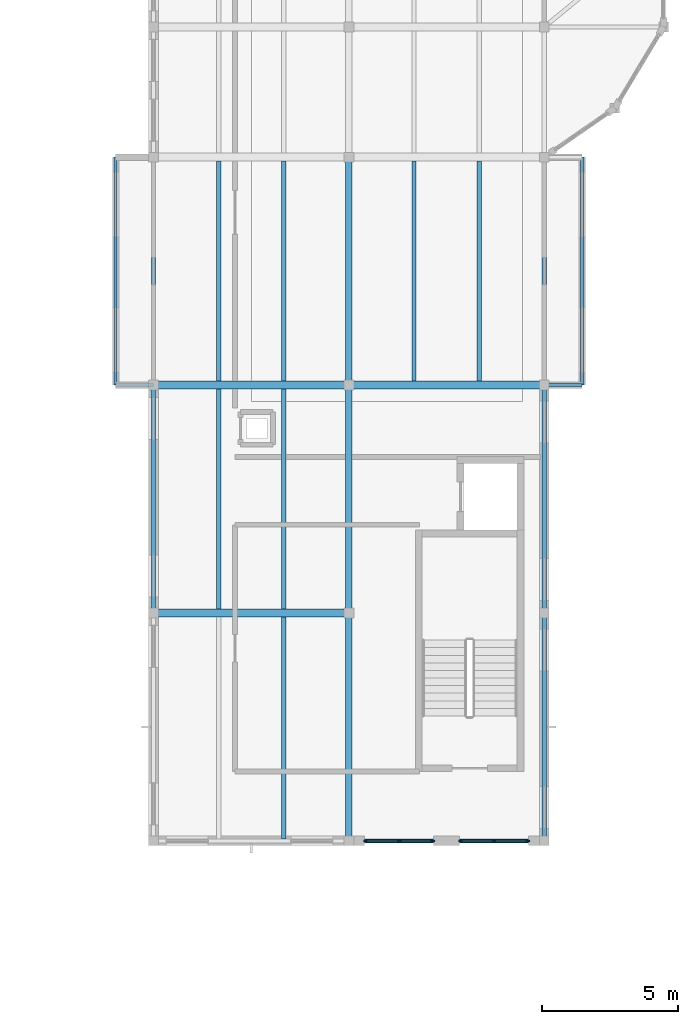
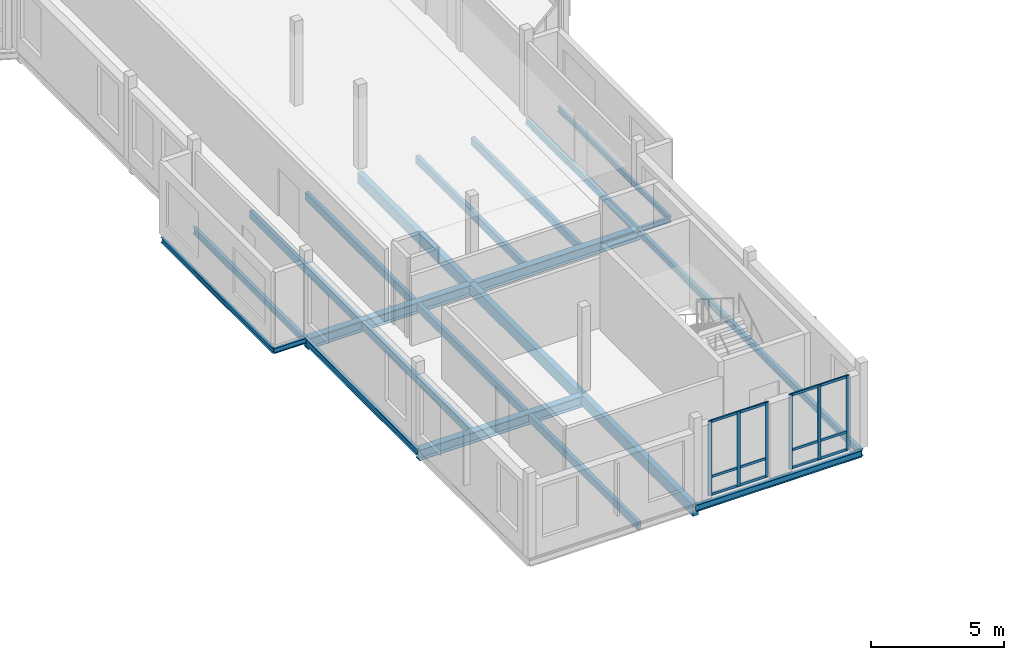
# One storey, part 12 of 34: 23 beams, 12 members, 2 elements without a shape of their own.
"""IFC4 building model written with IfcOpenShell, lengths in metres."""

from ifc_helpers import new_model, si_unit, direction, frame, origin, origin_2d, place, context, subcontext, project, spatial, rectangle, i_section, extrude, material, material_profile, profile_set, type_object, element, aggregate, save


model = new_model("IFC4")

# Units and contexts
model_context = context("Model", 3, precision=1e-05, world=origin(), true_north=direction((0.0, 1.0)))
body_context = subcontext(model_context, "Body", "Model", "MODEL_VIEW")
ifc_project = project(units=[si_unit("LENGTHUNIT", "METRE"), si_unit("AREAUNIT", "SQUARE_METRE"), si_unit("VOLUMEUNIT", "CUBIC_METRE"), si_unit("PLANEANGLEUNIT", "RADIAN"), si_unit("MASSUNIT", "GRAM", prefix="KILO")], contexts=[model_context])

# Site, building, storey
site_placement = place(None, origin())
site = spatial("IfcSite", under=ifc_project, at=site_placement, CompositionType="ELEMENT")
building_placement = place(site_placement, origin())
building = spatial("IfcBuilding", under=site, at=building_placement, Name="Kahlenmark Community Centre", CompositionType="ELEMENT")
storey_placement = place(building_placement, frame((0.0, 0.0, 17.699951171875)))
storey = spatial("IfcBuildingStorey", under=building, at=storey_placement, Name="L04", CompositionType="ELEMENT", Elevation=17.699951171875)

# Beams
ifc_material_1 = material(Name="Glulam GL32h", Category="wood")
ifc_material_profile_1 = material_profile(ifc_material_1, rectangle(XDim=0.239990234375, YDim=0.52001953125, at=origin_2d()), Name="GL32h 240x520")
ifc_profile_set_1 = profile_set([ifc_material_profile_1], Name="Glulam GL32h")
beam_type_1 = type_object("IfcBeamType", Name="BT-BEAM-GL32h240x520", PredefinedType="BEAM", material=ifc_profile_set_1)
beam_1_placement = place(storey_placement, frame((79.60009765625, 50.800048828125, -0.4599609375), z_axis=(0.0, 1.0, 0.0), x_axis=(-1.0, 0.0, 0.0)))
element("IfcBeam", 1, at=beam_1_placement, inside=storey, type_object=beam_type_1, Name="L04 beam BG-GL32h240x520", PredefinedType="BEAM", context=body_context, shape_type="SweptSolid", body=[
    extrude(rectangle(XDim=0.239990234375, YDim=0.52001953125, at=origin_2d()), origin(), (0.0, 0.0, 1.0), 8.39990234375),
])
beam_2_placement = place(storey_placement, frame((79.60009765625, 59.199951171875, -0.4599609375), z_axis=(0.0, 1.0, 0.0), x_axis=(-1.0, 0.0, 0.0)))
element("IfcBeam", 2, at=beam_2_placement, inside=storey, type_object=beam_type_1, Name="L04 beam BG-GL32h240x520", PredefinedType="BEAM", context=body_context, shape_type="SweptSolid", body=[
    extrude(rectangle(XDim=0.239990234375, YDim=0.52001953125, at=origin_2d()), origin(), (0.0, 0.0, 1.0), 8.400146484375),
])
beam_3_placement = place(storey_placement, frame((79.60009765625, 67.60009765625, -0.4599609375), z_axis=(0.0, 1.0, 0.0), x_axis=(-1.0, 0.0, 0.0)))
element("IfcBeam", 3, at=beam_3_placement, inside=storey, type_object=beam_type_1, Name="L04 beam BG-GL32h240x520", PredefinedType="BEAM", context=body_context, shape_type="SweptSolid", body=[
    extrude(rectangle(XDim=0.239990234375, YDim=0.52001953125, at=origin_2d()), origin(), (0.0, 0.0, 1.0), 8.39990234375),
])
ifc_material_2 = material(Name="Steel S355", Category="steel")
ifc_material_profile_2 = material_profile(ifc_material_2, i_section(OverallWidth=0.300048828125, OverallDepth=0.489990234375, WebThickness=0.011962890625, FlangeThickness=0.02294921875, at=origin_2d()), Name="HEA 500")
ifc_profile_set_2 = profile_set([ifc_material_profile_2], Name="Steel S355")
beam_type_2 = type_object("IfcBeamType", Name="BT-BEAM-HEA500", PredefinedType="BEAM", material=ifc_profile_set_2)
for number, where, z_axis, x_axis, name in (
    (4, (72.39990234375, 59.199951171875, -0.445068359375), (1.0, 0.0, 0.0), (0.0, 1.0, 0.0), "L04 beam BG-HEA500"),
    (5, (72.39990234375, 67.60009765625, -0.445068359375), (1.0, 0.0, 0.0), (0.0, 1.0, 0.0), "L04 beam BG-HEA500"),
):
    element("IfcBeam", number, at=place(storey_placement, frame(where, z_axis=z_axis, x_axis=x_axis)), inside=storey, type_object=beam_type_2, Name=name, PredefinedType="BEAM", context=body_context, shape_type="SweptSolid", body=[
        extrude(i_section(OverallWidth=0.300048828125, OverallDepth=0.489990234375, WebThickness=0.011962890625, FlangeThickness=0.02294921875, at=origin_2d()), origin(), (0.0, 0.0, 1.0), 7.2001953125),
    ])
beam_4_placement = place(storey_placement, frame((79.60009765625, 67.60009765625, -0.445068359375), z_axis=(1.0, 0.0, 0.0), x_axis=(0.0, 1.0, 0.0)))
element("IfcBeam", 6, at=beam_4_placement, inside=storey, type_object=beam_type_2, Name="L04 beam BG-HEA500", PredefinedType="BEAM", context=body_context, shape_type="SweptSolid", body=[
    extrude(i_section(OverallWidth=0.300048828125, OverallDepth=0.489990234375, WebThickness=0.011962890625, FlangeThickness=0.02294921875, at=origin_2d()), origin(), (0.0, 0.0, 1.0), 7.199951171875),
])
ifc_material_profile_3 = material_profile(ifc_material_2, i_section(OverallWidth=0.1201171875, OverallDepth=0.239990234375, WebThickness=0.006103515625, FlangeThickness=0.009765625, at=origin_2d()), Name="IPE 240")
ifc_profile_set_3 = profile_set([ifc_material_profile_3], Name="Steel S355")
beam_type_3 = type_object("IfcBeamType", Name="BT-BEAM-IPE240", PredefinedType="BEAM", material=ifc_profile_set_3)
for number, where, z_axis, x_axis, name in (
    (7, (86.800048828125, 67.60009765625, -0.320068359375), (1.0, 0.0, 0.0), (0.0, 1.0, 0.0), "L04 beam BG-IPE240"),
    (8, (71.0, 67.60009765625, -0.320068359375), (1.0, 0.0, 0.0), (0.0, 1.0, 0.0), "L04 beam BG-IPE240"),
):
    element("IfcBeam", number, at=place(storey_placement, frame(where, z_axis=z_axis, x_axis=x_axis)), inside=storey, type_object=beam_type_3, Name=name, PredefinedType="BEAM", context=body_context, shape_type="SweptSolid", body=[
        extrude(i_section(OverallWidth=0.1201171875, OverallDepth=0.239990234375, WebThickness=0.006103515625, FlangeThickness=0.009765625, at=origin_2d()), origin(), (0.0, 0.0, 1.0), 1.39990234375),
    ])
ifc_material_3 = material(Name="Glulam GL28h", Category="wood")
ifc_material_profile_4 = material_profile(ifc_material_3, rectangle(XDim=0.159912109375, YDim=0.360107421875, at=origin_2d()), Name="GL28h 160x360")
ifc_profile_set_4 = profile_set([ifc_material_profile_4], Name="Glulam GL28h")
beam_type_4 = type_object("IfcBeamType", Name="BT-JOIST-GL28h160x360", PredefinedType="JOIST", material=ifc_profile_set_4)
beam_5_placement = place(storey_placement, frame((77.199951171875, 50.873046875, -0.3798828125), z_axis=(0.0, 1.0, 0.0), x_axis=(-1.0, 0.0, 0.0)))
element("IfcBeam", 9, at=beam_5_placement, inside=storey, type_object=beam_type_4, Name="L04 joist BJ-GL28h160x360", PredefinedType="JOIST", context=body_context, shape_type="SweptSolid", body=[
    extrude(rectangle(XDim=0.159912109375, YDim=0.360107421875, at=origin_2d()), origin(), (0.0, 0.0, 1.0), 8.178955078125),
])
for number, where, z_axis, x_axis, name in (
    (10, (74.800048828125, 59.347900390625, -0.3798828125), (0.0, 1.0, 0.0), (-1.0, 0.0, 0.0), "L04 joist BJ-GL28h160x360"),
    (11, (77.199951171875, 59.347900390625, -0.3798828125), (0.0, 1.0, 0.0), (-1.0, 0.0, 0.0), "L04 joist BJ-GL28h160x360"),
    (12, (74.800048828125, 67.748046875, -0.3798828125), (0.0, 1.0, 0.0), (-1.0, 0.0, 0.0), "L04 joist BJ-GL28h160x360"),
    (13, (77.199951171875, 67.748046875, -0.3798828125), (0.0, 1.0, 0.0), (-1.0, 0.0, 0.0), "L04 joist BJ-GL28h160x360"),
    (14, (82.0, 67.748046875, -0.3798828125), (0.0, 1.0, 0.0), (-1.0, 0.0, 0.0), "L04 joist BJ-GL28h160x360"),
    (15, (84.39990234375, 67.748046875, -0.3798828125), (0.0, 1.0, 0.0), (-1.0, 0.0, 0.0), "L04 joist BJ-GL28h160x360"),
):
    element("IfcBeam", number, at=place(storey_placement, frame(where, z_axis=z_axis, x_axis=x_axis)), inside=storey, type_object=beam_type_4, Name=name, PredefinedType="JOIST", context=body_context, shape_type="SweptSolid", body=[
        extrude(rectangle(XDim=0.159912109375, YDim=0.360107421875, at=origin_2d()), origin(), (0.0, 0.0, 1.0), 8.10400390625),
    ])
ifc_material_profile_5 = material_profile(ifc_material_2, i_section(OverallWidth=0.1201171875, OverallDepth=0.239990234375, WebThickness=0.006103515625, FlangeThickness=0.009765625, at=origin_2d()), Name="IPE 240")
ifc_profile_set_5 = profile_set([ifc_material_profile_5], Name="Steel S355")
beam_type_5 = type_object("IfcBeamType", Name="BT-SPANDREL-IPE240", PredefinedType="SPANDREL", material=ifc_profile_set_5)
for number, where, z_axis, x_axis, name in (
    (16, (88.199951171875, 67.60009765625, -0.320068359375), (0.0, 1.0, 0.0), (-1.0, 0.0, 0.0), "L04 spandrel SP-IPE240"),
    (17, (71.0, 67.60009765625, -0.320068359375), (0.0, 1.0, 0.0), (-1.0, 0.0, 0.0), "L04 spandrel SP-IPE240"),
):
    element("IfcBeam", number, at=place(storey_placement, frame(where, z_axis=z_axis, x_axis=x_axis)), inside=storey, type_object=beam_type_5, Name=name, PredefinedType="SPANDREL", context=body_context, shape_type="SweptSolid", body=[
        extrude(i_section(OverallWidth=0.1201171875, OverallDepth=0.239990234375, WebThickness=0.006103515625, FlangeThickness=0.009765625, at=origin_2d()), origin(), (0.0, 0.0, 1.0), 8.39990234375),
    ])
ifc_material_profile_6 = material_profile(ifc_material_2, i_section(OverallWidth=0.14990234375, OverallDepth=0.300048828125, WebThickness=0.007080078125, FlangeThickness=0.0107421875, at=origin_2d()), Name="IPE 300")
ifc_profile_set_6 = profile_set([ifc_material_profile_6], Name="Steel S355")
beam_type_6 = type_object("IfcBeamType", Name="BT-SPANDREL-IPE300", PredefinedType="SPANDREL", material=ifc_profile_set_6)
beam_6_placement = place(storey_placement, frame((79.60009765625, 50.800048828125, -0.349853515625), z_axis=(1.0, 0.0, 0.0), x_axis=(0.0, 1.0, 0.0)))
element("IfcBeam", 18, at=beam_6_placement, inside=storey, type_object=beam_type_6, Name="L04 spandrel SP-IPE300", PredefinedType="SPANDREL", context=body_context, shape_type="SweptSolid", body=[
    extrude(i_section(OverallWidth=0.14990234375, OverallDepth=0.300048828125, WebThickness=0.007080078125, FlangeThickness=0.0107421875, at=origin_2d()), origin(), (0.0, 0.0, 1.0), 7.199951171875),
])
beam_7_placement = place(storey_placement, frame((72.39990234375, 59.199951171875, -0.349853515625), z_axis=(0.0, 1.0, 0.0), x_axis=(-1.0, 0.0, 0.0)))
element("IfcBeam", 19, at=beam_7_placement, inside=storey, type_object=beam_type_6, Name="L04 spandrel SP-IPE300", PredefinedType="SPANDREL", context=body_context, shape_type="SweptSolid", body=[
    extrude(i_section(OverallWidth=0.14990234375, OverallDepth=0.300048828125, WebThickness=0.007080078125, FlangeThickness=0.0107421875, at=origin_2d()), origin(), (0.0, 0.0, 1.0), 8.400146484375),
])
for number, where, z_axis, x_axis, name in (
    (20, (72.39990234375, 67.60009765625, -0.349853515625), (0.0, 1.0, 0.0), (-1.0, 0.0, 0.0), "L04 spandrel SP-IPE300"),
    (21, (86.800048828125, 50.800048828125, -0.349853515625), (0.0, 1.0, 0.0), (-1.0, 0.0, 0.0), "L04 spandrel SP-IPE300"),
):
    element("IfcBeam", number, at=place(storey_placement, frame(where, z_axis=z_axis, x_axis=x_axis)), inside=storey, type_object=beam_type_6, Name=name, PredefinedType="SPANDREL", context=body_context, shape_type="SweptSolid", body=[
        extrude(i_section(OverallWidth=0.14990234375, OverallDepth=0.300048828125, WebThickness=0.007080078125, FlangeThickness=0.0107421875, at=origin_2d()), origin(), (0.0, 0.0, 1.0), 8.39990234375),
    ])
beam_8_placement = place(storey_placement, frame((86.800048828125, 59.199951171875, -0.349853515625), z_axis=(0.0, 1.0, 0.0), x_axis=(-1.0, 0.0, 0.0)))
element("IfcBeam", 22, at=beam_8_placement, inside=storey, type_object=beam_type_6, Name="L04 spandrel SP-IPE300", PredefinedType="SPANDREL", context=body_context, shape_type="SweptSolid", body=[
    extrude(i_section(OverallWidth=0.14990234375, OverallDepth=0.300048828125, WebThickness=0.007080078125, FlangeThickness=0.0107421875, at=origin_2d()), origin(), (0.0, 0.0, 1.0), 8.400146484375),
])
beam_9_placement = place(storey_placement, frame((86.800048828125, 67.60009765625, -0.349853515625), z_axis=(0.0, 1.0, 0.0), x_axis=(-1.0, 0.0, 0.0)))
element("IfcBeam", 23, at=beam_9_placement, inside=storey, type_object=beam_type_6, Name="L04 spandrel SP-IPE300", PredefinedType="SPANDREL", context=body_context, shape_type="SweptSolid", body=[
    extrude(i_section(OverallWidth=0.14990234375, OverallDepth=0.300048828125, WebThickness=0.007080078125, FlangeThickness=0.0107421875, at=origin_2d()), origin(), (0.0, 0.0, 1.0), 8.39990234375),
])

# Curtain wall, members
ifc_material_4 = material(Name="Anodised aluminium unitised curtain wall", Category="aluminium")
curtain_wall_type = type_object("IfcCurtainWallType", Name="CWT-UNIT-254X342", PredefinedType="USERDEFINED", material=ifc_material_4)
curtain_wall_1_placement = place(storey_placement, origin())
curtain_wall_1 = element("IfcCurtainWall", 24, at=curtain_wall_1_placement, inside=storey, type_object=curtain_wall_type, Name="Unitised curtain wall CW-137", ObjectType="UNITISED CURTAIN WALL", PredefinedType="USERDEFINED")
ifc_material_5 = material(Name="Anodised aluminium 6063-T6", Category="aluminium")
ifc_material_profile_7 = material_profile(ifc_material_5, rectangle(XDim=0.06005859375, YDim=0.139892578125, at=origin_2d()), Name="ALU MULLION 60x140")
ifc_profile_set_7 = profile_set([ifc_material_profile_7], Name="Anodised aluminium 6063-T6")
member_type_1 = type_object("IfcMemberType", Name="MT-MUL-140", PredefinedType="MULLION", material=ifc_profile_set_7)
member_1_placement = place(storey_placement, frame((80.2099609375, 50.800048828125, 0.0), z_axis=(0.0, 0.0, 1.0), x_axis=(0.0, 1.0, 0.0)))
member_1 = element("IfcMember", 25, at=member_1_placement, type_object=member_type_1, Name="CW-137 mullion 1", PredefinedType="MULLION", context=body_context, shape_type="SweptSolid", body=[
    extrude(rectangle(XDim=0.06005859375, YDim=0.139892578125, at=origin_2d()), origin(), (0.0, 0.0, 1.0), 3.420166015625),
])
member_2_placement = place(storey_placement, frame((81.449951171875, 50.800048828125, 0.0), z_axis=(0.0, 0.0, 1.0), x_axis=(0.0, 1.0, 0.0)))
member_2 = element("IfcMember", 26, at=member_2_placement, type_object=member_type_1, Name="CW-137 mullion 2", PredefinedType="MULLION", context=body_context, shape_type="SweptSolid", body=[
    extrude(rectangle(XDim=0.06005859375, YDim=0.139892578125, at=origin_2d()), origin(), (0.0, 0.0, 1.0), 3.420166015625),
])
member_3_placement = place(storey_placement, frame((82.68994140625, 50.800048828125, 0.0), z_axis=(0.0, 0.0, 1.0), x_axis=(0.0, 1.0, 0.0)))
member_3 = element("IfcMember", 27, at=member_3_placement, type_object=member_type_1, Name="CW-137 mullion 3", PredefinedType="MULLION", context=body_context, shape_type="SweptSolid", body=[
    extrude(rectangle(XDim=0.06005859375, YDim=0.139892578125, at=origin_2d()), origin(), (0.0, 0.0, 1.0), 3.420166015625),
])

curtain_wall_2_placement = place(storey_placement, origin())
curtain_wall_2 = element("IfcCurtainWall", 28, at=curtain_wall_2_placement, inside=storey, type_object=curtain_wall_type, Name="Unitised curtain wall CW-138", ObjectType="UNITISED CURTAIN WALL", PredefinedType="USERDEFINED")
member_4_placement = place(storey_placement, frame((83.7099609375, 50.800048828125, 0.0), z_axis=(0.0, 0.0, 1.0), x_axis=(0.0, 1.0, 0.0)))
member_4 = element("IfcMember", 29, at=member_4_placement, type_object=member_type_1, Name="CW-138 mullion 1", PredefinedType="MULLION", context=body_context, shape_type="SweptSolid", body=[
    extrude(rectangle(XDim=0.06005859375, YDim=0.139892578125, at=origin_2d()), origin(), (0.0, 0.0, 1.0), 3.420166015625),
])
member_5_placement = place(storey_placement, frame((84.949951171875, 50.800048828125, 0.0), z_axis=(0.0, 0.0, 1.0), x_axis=(0.0, 1.0, 0.0)))
member_5 = element("IfcMember", 30, at=member_5_placement, type_object=member_type_1, Name="CW-138 mullion 2", PredefinedType="MULLION", context=body_context, shape_type="SweptSolid", body=[
    extrude(rectangle(XDim=0.06005859375, YDim=0.139892578125, at=origin_2d()), origin(), (0.0, 0.0, 1.0), 3.420166015625),
])
member_6_placement = place(storey_placement, frame((86.18994140625, 50.800048828125, 0.0), z_axis=(0.0, 0.0, 1.0), x_axis=(0.0, 1.0, 0.0)))
member_6 = element("IfcMember", 31, at=member_6_placement, type_object=member_type_1, Name="CW-138 mullion 3", PredefinedType="MULLION", context=body_context, shape_type="SweptSolid", body=[
    extrude(rectangle(XDim=0.06005859375, YDim=0.139892578125, at=origin_2d()), origin(), (0.0, 0.0, 1.0), 3.420166015625),
])

# Member
ifc_material_profile_8 = material_profile(ifc_material_5, rectangle(XDim=0.06005859375, YDim=0.1201171875, at=origin_2d()), Name="ALU TRANSOM 60x120")
ifc_profile_set_8 = profile_set([ifc_material_profile_8], Name="Anodised aluminium 6063-T6")
member_type_2 = type_object("IfcMemberType", Name="MT-TRN-120", PredefinedType="USERDEFINED", material=ifc_profile_set_8)
member_7_placement = place(storey_placement, frame((80.2099609375, 50.800048828125, 0.0400390625), z_axis=(1.0, 0.0, 0.0), x_axis=(0.0, 1.0, 0.0)))
member_7 = element("IfcMember", 32, at=member_7_placement, type_object=member_type_2, Name="CW-137 transom 1", ObjectType="TRANSOM", PredefinedType="USERDEFINED", context=body_context, shape_type="SweptSolid", body=[
    extrude(rectangle(XDim=0.06005859375, YDim=0.1201171875, at=origin_2d()), origin(), (0.0, 0.0, 1.0), 2.47998046875),
])

member_8_placement = place(storey_placement, frame((80.2099609375, 50.800048828125, 0.85009765625), z_axis=(1.0, 0.0, 0.0), x_axis=(0.0, 1.0, 0.0)))
member_8 = element("IfcMember", 33, at=member_8_placement, type_object=member_type_2, Name="CW-137 transom 2", ObjectType="TRANSOM", PredefinedType="USERDEFINED", context=body_context, shape_type="SweptSolid", body=[
    extrude(rectangle(XDim=0.06005859375, YDim=0.1201171875, at=origin_2d()), origin(), (0.0, 0.0, 1.0), 2.47998046875),
])

member_9_placement = place(storey_placement, frame((80.2099609375, 50.800048828125, 3.380126953125), z_axis=(1.0, 0.0, 0.0), x_axis=(0.0, 1.0, 0.0)))
member_9 = element("IfcMember", 34, at=member_9_placement, type_object=member_type_2, Name="CW-137 transom 3", ObjectType="TRANSOM", PredefinedType="USERDEFINED", context=body_context, shape_type="SweptSolid", body=[
    extrude(rectangle(XDim=0.06005859375, YDim=0.1201171875, at=origin_2d()), origin(), (0.0, 0.0, 1.0), 2.47998046875),
])

aggregate(curtain_wall_1, [member_1, member_2, member_3, member_7, member_8, member_9])

member_10_placement = place(storey_placement, frame((83.7099609375, 50.800048828125, 0.0400390625), z_axis=(1.0, 0.0, 0.0), x_axis=(0.0, 1.0, 0.0)))
member_10 = element("IfcMember", 35, at=member_10_placement, type_object=member_type_2, Name="CW-138 transom 1", ObjectType="TRANSOM", PredefinedType="USERDEFINED", context=body_context, shape_type="SweptSolid", body=[
    extrude(rectangle(XDim=0.06005859375, YDim=0.1201171875, at=origin_2d()), origin(), (0.0, 0.0, 1.0), 2.47998046875),
])

member_11_placement = place(storey_placement, frame((83.7099609375, 50.800048828125, 0.85009765625), z_axis=(1.0, 0.0, 0.0), x_axis=(0.0, 1.0, 0.0)))
member_11 = element("IfcMember", 36, at=member_11_placement, type_object=member_type_2, Name="CW-138 transom 2", ObjectType="TRANSOM", PredefinedType="USERDEFINED", context=body_context, shape_type="SweptSolid", body=[
    extrude(rectangle(XDim=0.06005859375, YDim=0.1201171875, at=origin_2d()), origin(), (0.0, 0.0, 1.0), 2.47998046875),
])

member_12_placement = place(storey_placement, frame((83.7099609375, 50.800048828125, 3.380126953125), z_axis=(1.0, 0.0, 0.0), x_axis=(0.0, 1.0, 0.0)))
member_12 = element("IfcMember", 37, at=member_12_placement, type_object=member_type_2, Name="CW-138 transom 3", ObjectType="TRANSOM", PredefinedType="USERDEFINED", context=body_context, shape_type="SweptSolid", body=[
    extrude(rectangle(XDim=0.06005859375, YDim=0.1201171875, at=origin_2d()), origin(), (0.0, 0.0, 1.0), 2.47998046875),
])

aggregate(curtain_wall_2, [member_4, member_5, member_6, member_10, member_11, member_12])

save(model, "model.ifc")
